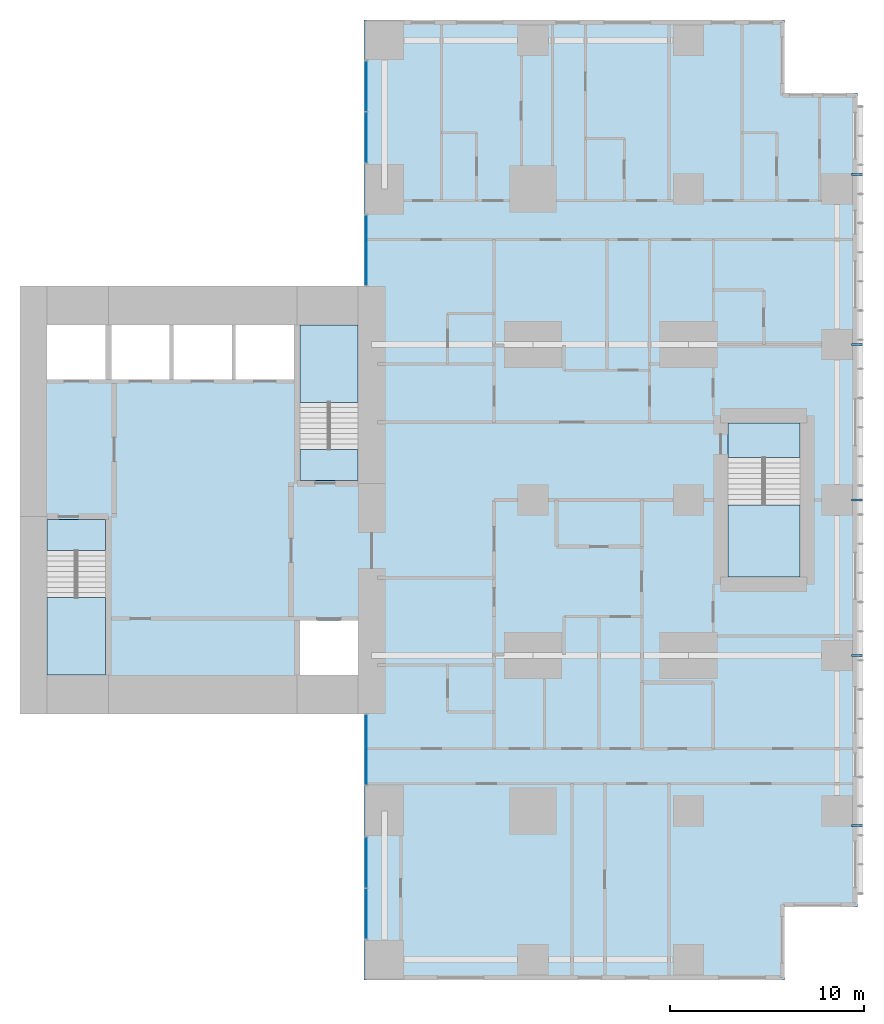
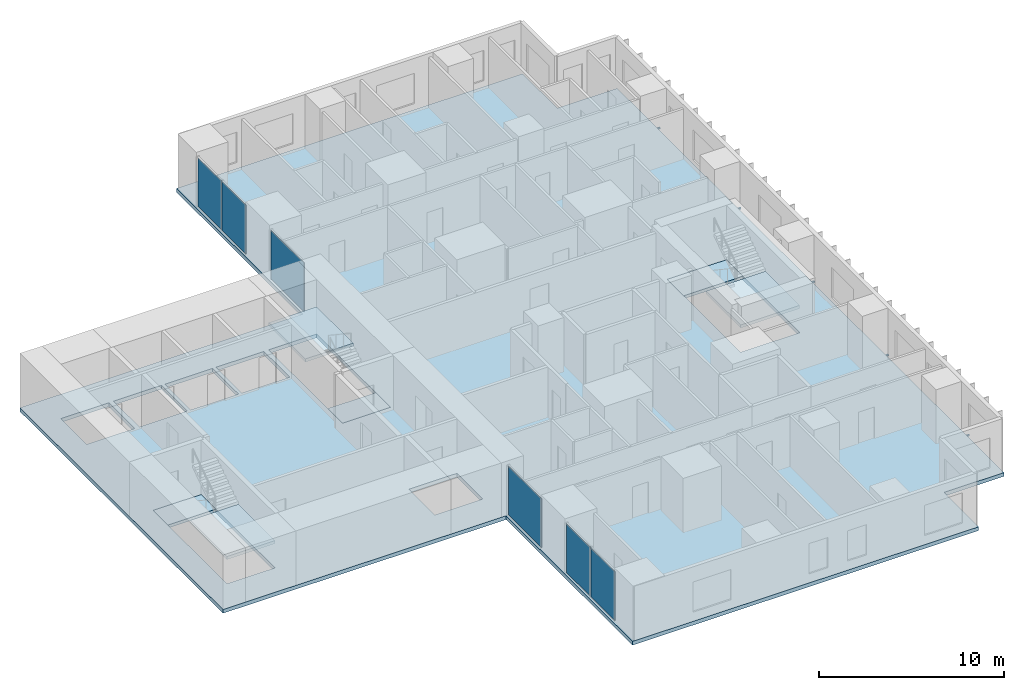
# One storey, part 4 of 12: 7 slabs, 6 plates, 5 members, 7 elements without a shape of their own.
"""IFC4 building model written with IfcOpenShell, lengths in metres."""

from ifc_helpers import new_model, si_unit, direction, frame, origin, origin_2d, place, context, subcontext, project, spatial, polyline, rectangle, hollow_rectangle, outline, extrude, material, layer, layer_set, material_profile, profile_set, type_object, element, aggregate, save


model = new_model("IFC4")

# Units and contexts
model_context = context("Model", 3, precision=1e-05, world=origin(), true_north=direction((0.0, 1.0)))
body_context = subcontext(model_context, "Body", "Model", "MODEL_VIEW")
ifc_project = project(units=[si_unit("LENGTHUNIT", "METRE"), si_unit("AREAUNIT", "SQUARE_METRE"), si_unit("VOLUMEUNIT", "CUBIC_METRE"), si_unit("PLANEANGLEUNIT", "RADIAN"), si_unit("MASSUNIT", "GRAM", prefix="KILO")], contexts=[model_context])

# Site, building, storey
site_placement = place(None, origin())
site = spatial("IfcSite", under=ifc_project, at=site_placement, CompositionType="ELEMENT")
building_placement = place(site_placement, origin())
building = spatial("IfcBuilding", under=site, at=building_placement, Name="Cleftline Residences", CompositionType="ELEMENT")
storey_placement = place(building_placement, frame((0.0, 0.0, 255.60009765625)))
storey = spatial("IfcBuildingStorey", under=building, at=storey_placement, Name="L67", CompositionType="ELEMENT", Elevation=255.60009765625)

# Members
ifc_material_1 = material(Name="Steel S355, hot-dip galvanised", Category="steel")
ifc_material_profile = material_profile(ifc_material_1, hollow_rectangle(XDim=0.10009765625, YDim=0.10009765625, WallThickness=0.008056640625, InnerFilletRadius=0.008056640625, OuterFilletRadius=0.011962890625, at=origin_2d()))
ifc_profile_set = profile_set([ifc_material_profile], Name="Steel S355, hot-dip galvanised")
member_type = type_object("IfcMemberType", Name="BAGUETTE BRACKET SHS 100X100X8", PredefinedType="USERDEFINED", material=ifc_profile_set)
for number, where, z_axis, x_axis, name in (
    (1, (66.39990234375, 7.25, -0.150146484375), (1.0, 0.0, 0.0), (0.0, 1.0, 0.0), "Baguette bracket"),
    (2, (66.39990234375, 16.0, -0.150146484375), (1.0, 0.0, 0.0), (0.0, 1.0, 0.0), "Baguette bracket"),
    (3, (66.39990234375, 24.0, -0.150146484375), (1.0, 0.0, 0.0), (0.0, 1.0, 0.0), "Baguette bracket"),
    (4, (66.39990234375, 32.0, -0.150146484375), (1.0, 0.0, 0.0), (0.0, 1.0, 0.0), "Baguette bracket"),
    (5, (66.39990234375, 40.75, -0.150146484375), (1.0, 0.0, 0.0), (0.0, 1.0, 0.0), "Baguette bracket"),
):
    element("IfcMember", number, at=place(storey_placement, frame(where, z_axis=z_axis, x_axis=x_axis)), inside=storey, type_object=member_type, Name=name, ObjectType="BAGUETTE BRACKET", PredefinedType="USERDEFINED", context=body_context, shape_type="SweptSolid", body=[
        extrude(hollow_rectangle(XDim=0.10009765625, YDim=0.10009765625, WallThickness=0.008056640625, InnerFilletRadius=0.008056640625, OuterFilletRadius=0.011962890625, at=origin_2d()), origin(), (0.0, 0.0, 1.0), 0.550048828125),
    ])

# Curtain wall, plate
ifc_material_2 = material(Name="Aluminium framed curtain wall", Category="aluminium")
ifc_layer_1 = layer(ifc_material_2, 0.199951171875)
ifc_layer_set_1 = layer_set([ifc_layer_1], Name="CW1 CLEFT GLAZING")
curtain_wall_type = type_object("IfcCurtainWallType", Name="CW1 CLEFT GLAZING", PredefinedType="NOTDEFINED", material=ifc_layer_set_1)
curtain_wall_1_placement = place(storey_placement, origin())
curtain_wall_1 = element("IfcCurtainWall", 6, at=curtain_wall_1_placement, inside=storey, type_object=curtain_wall_type, Name="Curtain wall CW1", PredefinedType="NOTDEFINED")
ifc_material_3 = material(Name="Laminated clear glass", Category="glass")
ifc_layer_2 = layer(ifc_material_3, 0.028076171875)
ifc_layer_set_2 = layer_set([ifc_layer_2], Name="CW1 GLASS PANEL")
plate_type = type_object("IfcPlateType", Name="CW1 GLASS PANEL", PredefinedType="CURTAIN_PANEL", material=ifc_layer_set_2)
plate_1_placement = place(storey_placement, frame((41.425048828125, 11.14990234375, 0.059814453125), z_axis=(0.0, 0.0, 1.0), x_axis=(0.0, -1.0, 0.0)))
plate_1 = element("IfcPlate", 7, at=plate_1_placement, type_object=plate_type, Name="CW1 panel 1.1", PredefinedType="CURTAIN_PANEL", context=body_context, shape_type="SweptSolid", body=[
    extrude(rectangle(XDim=3.580078125, YDim=0.028076171875, at=origin_2d()), origin(), (0.0, 0.0, 1.0), 3.22998046875),
])
aggregate(curtain_wall_1, [plate_1])

# Curtain wall, plates
curtain_wall_2_placement = place(storey_placement, origin())
curtain_wall_2 = element("IfcCurtainWall", 8, at=curtain_wall_2_placement, inside=storey, type_object=curtain_wall_type, Name="Curtain wall CW1", PredefinedType="NOTDEFINED")
plate_2_placement = place(storey_placement, frame((41.425048828125, 5.347412109375, 0.059814453125), z_axis=(0.0, 0.0, 1.0), x_axis=(0.0, -1.0, 0.0)))
plate_2 = element("IfcPlate", 9, at=plate_2_placement, type_object=plate_type, Name="CW1 panel 1.1", PredefinedType="CURTAIN_PANEL", context=body_context, shape_type="SweptSolid", body=[
    extrude(rectangle(XDim=2.5849609375, YDim=0.028076171875, at=origin_2d()), origin(), (0.0, 0.0, 1.0), 3.22998046875),
])
plate_3_placement = place(storey_placement, frame((41.425048828125, 2.702392578125, 0.059814453125), z_axis=(0.0, 0.0, 1.0), x_axis=(0.0, -1.0, 0.0)))
plate_3 = element("IfcPlate", 10, at=plate_3_placement, type_object=plate_type, Name="CW1 panel 2.1", PredefinedType="CURTAIN_PANEL", context=body_context, shape_type="SweptSolid", body=[
    extrude(rectangle(XDim=2.5849609375, YDim=0.028076171875, at=origin_2d()), origin(), (0.0, 0.0, 1.0), 3.22998046875),
])
aggregate(curtain_wall_2, [plate_2, plate_3])

curtain_wall_3_placement = place(storey_placement, origin())
curtain_wall_3 = element("IfcCurtainWall", 11, at=curtain_wall_3_placement, inside=storey, type_object=curtain_wall_type, Name="Curtain wall CW1", PredefinedType="NOTDEFINED")
plate_4_placement = place(storey_placement, frame((41.425048828125, 45.297607421875, 0.059814453125), z_axis=(0.0, 0.0, 1.0), x_axis=(0.0, -1.0, 0.0)))
plate_4 = element("IfcPlate", 12, at=plate_4_placement, type_object=plate_type, Name="CW1 panel 1.1", PredefinedType="CURTAIN_PANEL", context=body_context, shape_type="SweptSolid", body=[
    extrude(rectangle(XDim=2.5849609375, YDim=0.028076171875, at=origin_2d()), origin(), (0.0, 0.0, 1.0), 3.22998046875),
])
plate_5_placement = place(storey_placement, frame((41.425048828125, 42.652587890625, 0.059814453125), z_axis=(0.0, 0.0, 1.0), x_axis=(0.0, -1.0, 0.0)))
plate_5 = element("IfcPlate", 13, at=plate_5_placement, type_object=plate_type, Name="CW1 panel 2.1", PredefinedType="CURTAIN_PANEL", context=body_context, shape_type="SweptSolid", body=[
    extrude(rectangle(XDim=2.5849609375, YDim=0.028076171875, at=origin_2d()), origin(), (0.0, 0.0, 1.0), 3.22998046875),
])
aggregate(curtain_wall_3, [plate_4, plate_5])

# Curtain wall, plate
curtain_wall_4_placement = place(storey_placement, origin())
curtain_wall_4 = element("IfcCurtainWall", 14, at=curtain_wall_4_placement, inside=storey, type_object=curtain_wall_type, Name="Curtain wall CW1", PredefinedType="NOTDEFINED")
plate_6_placement = place(storey_placement, frame((41.425048828125, 36.85009765625, 0.059814453125), z_axis=(0.0, 0.0, 1.0), x_axis=(0.0, -1.0, 0.0)))
plate_6 = element("IfcPlate", 15, at=plate_6_placement, type_object=plate_type, Name="CW1 panel 1.1", PredefinedType="CURTAIN_PANEL", context=body_context, shape_type="SweptSolid", body=[
    extrude(rectangle(XDim=3.580078125, YDim=0.028076171875, at=origin_2d()), origin(), (0.0, 0.0, 1.0), 3.22998046875),
])
aggregate(curtain_wall_4, [plate_6])

# Slab
ifc_material_4 = material(Name="Concrete B45", Category="concrete")
ifc_layer_3 = layer(ifc_material_4, 0.25)
ifc_layer_set_3 = layer_set([ifc_layer_3], Name="FLOOR SLAB 250")
slab_type_1 = type_object("IfcSlabType", Name="FLOOR SLAB 250", PredefinedType="FLOOR", material=ifc_layer_set_3)
slab_1_placement = place(storey_placement, frame((0.0, 0.0, -0.25)))
element("IfcSlab", 16, at=slab_1_placement, inside=storey, type_object=slab_type_1, Name="Floor slab L67", PredefinedType="FLOOR", context=body_context, shape_type="SweptSolid", body=[
    extrude(outline(polyline([(41.300048828125, 13.0), (41.300048828125, -0.699951171875), (62.949951171875, -0.699951171875), (62.949951171875, 3.050048828125), (66.699951171875, 3.050048828125), (66.699951171875, 44.949951171875), (62.949951171875, 44.949951171875), (62.949951171875, 48.699951171875), (41.300048828125, 48.699951171875), (41.300048828125, 35.0), (23.60009765625, 35.0), (23.60009765625, 13.0), (41.300048828125, 13.0)]), holes=[polyline([(28.0, 15.0), (28.0, 23.0), (25.0, 23.0), (25.0, 15.0), (28.0, 15.0)]), polyline([(41.0, 25.0), (41.0, 33.0), (38.0, 33.0), (38.0, 25.0), (41.0, 25.0)]), polyline([(28.0, 30.199951171875), (28.0, 33.0), (25.0, 33.0), (25.0, 30.199951171875), (28.0, 30.199951171875)]), polyline([(41.0, 15.0), (41.0, 17.800048828125), (38.0, 17.800048828125), (38.0, 15.0), (41.0, 15.0)]), polyline([(31.300048828125, 30.199951171875), (31.300048828125, 33.0), (28.300048828125, 33.0), (28.300048828125, 30.199951171875), (31.300048828125, 30.199951171875)]), polyline([(34.5, 30.199951171875), (34.5, 33.0), (31.5, 33.0), (31.5, 30.199951171875), (34.5, 30.199951171875)]), polyline([(37.699951171875, 30.199951171875), (37.699951171875, 33.0), (34.699951171875, 33.0), (34.699951171875, 30.199951171875), (37.699951171875, 30.199951171875)]), polyline([(63.72509765625, 20.02490234375), (63.72509765625, 27.97509765625), (60.02490234375, 27.97509765625), (60.02490234375, 20.02490234375), (63.72509765625, 20.02490234375)])]), origin(), (0.0, 0.0, 1.0), 0.25),
])

# Stair, slabs
ifc_material_5 = material(Name="Concrete B45, stone treads", Category="masonry")
stair_type_1 = type_object("IfcStairType", Name="STAIR A 1450 WIDE 180 RISER", PredefinedType="HALF_TURN_STAIR", material=ifc_material_5)
stair_1_placement = place(storey_placement, origin())
stair_1 = element("IfcStair", 17, at=stair_1_placement, inside=storey, type_object=stair_type_1, Name="Stair A L67", PredefinedType="HALF_TURN_STAIR")
ifc_material_6 = material(Name="Concrete B45", Category="concrete")
ifc_layer_4 = layer(ifc_material_6, 0.199951171875)
ifc_layer_set_4 = layer_set([ifc_layer_4], Name="STAIR LANDING 200")
slab_type_2 = type_object("IfcSlabType", Name="STAIR LANDING 200", PredefinedType="LANDING", material=ifc_layer_set_4)
slab_2_placement = place(storey_placement, frame((0.0, 0.0, -0.2001953125)))
slab_2 = element("IfcSlab", 18, at=slab_2_placement, type_object=slab_type_2, Name="ST-A landing 1", PredefinedType="LANDING", context=body_context, shape_type="SweptSolid", body=[
    extrude(outline(polyline([(25.0, 21.39990234375), (28.0, 21.39990234375), (28.0, 23.0), (25.0, 23.0), (25.0, 21.39990234375)])), origin(), (0.0, 0.0, 1.0), 0.2001953125),
])
slab_3_placement = place(storey_placement, frame((0.0, 0.0, 1.599853515625)))
slab_3 = element("IfcSlab", 19, at=slab_3_placement, type_object=slab_type_2, Name="ST-A landing 2", PredefinedType="LANDING", context=body_context, shape_type="SweptSolid", body=[
    extrude(outline(polyline([(25.0, 15.0), (28.0, 15.0), (28.0, 18.969970703125), (25.0, 18.969970703125), (25.0, 15.0)])), origin(), (0.0, 0.0, 1.0), 0.199951171875),
])
aggregate(stair_1, [slab_2, slab_3])

ifc_material_7 = material(Name="Concrete B45, stone treads", Category="masonry")
stair_type_2 = type_object("IfcStairType", Name="STAIR B 1450 WIDE 180 RISER", PredefinedType="HALF_TURN_STAIR", material=ifc_material_7)
stair_2_placement = place(storey_placement, origin())
stair_2 = element("IfcStair", 20, at=stair_2_placement, inside=storey, type_object=stair_type_2, Name="Stair B L67", PredefinedType="HALF_TURN_STAIR")
slab_4_placement = place(storey_placement, frame((0.0, 0.0, -0.2001953125)))
slab_4 = element("IfcSlab", 21, at=slab_4_placement, type_object=slab_type_2, Name="ST-B landing 1", PredefinedType="LANDING", context=body_context, shape_type="SweptSolid", body=[
    extrude(outline(polyline([(38.0, 25.0), (41.0, 25.0), (41.0, 26.60009765625), (38.0, 26.60009765625), (38.0, 25.0)])), origin(), (0.0, 0.0, 1.0), 0.2001953125),
])
slab_5_placement = place(storey_placement, frame((0.0, 0.0, 1.599853515625)))
slab_5 = element("IfcSlab", 22, at=slab_5_placement, type_object=slab_type_2, Name="ST-B landing 2", PredefinedType="LANDING", context=body_context, shape_type="SweptSolid", body=[
    extrude(outline(polyline([(38.0, 29.030029296875), (41.0, 29.030029296875), (41.0, 33.0), (38.0, 33.0), (38.0, 29.030029296875)])), origin(), (0.0, 0.0, 1.0), 0.199951171875),
])
aggregate(stair_2, [slab_4, slab_5])

ifc_material_8 = material(Name="Concrete B45, stone treads", Category="masonry")
stair_type_3 = type_object("IfcStairType", Name="STAIR E 1800 WIDE 180 RISER", PredefinedType="HALF_TURN_STAIR", material=ifc_material_8)
stair_3_placement = place(storey_placement, origin())
stair_3 = element("IfcStair", 23, at=stair_3_placement, inside=storey, type_object=stair_type_3, Name="Stair E L67", PredefinedType="HALF_TURN_STAIR")
slab_6_placement = place(storey_placement, frame((0.0, 0.0, -0.2001953125)))
slab_6 = element("IfcSlab", 24, at=slab_6_placement, type_object=slab_type_2, Name="ST-E landing 1", PredefinedType="LANDING", context=body_context, shape_type="SweptSolid", body=[
    extrude(outline(polyline([(60.02490234375, 26.175048828125), (63.72509765625, 26.175048828125), (63.72509765625, 27.97509765625), (60.02490234375, 27.97509765625), (60.02490234375, 26.175048828125)])), origin(), (0.0, 0.0, 1.0), 0.2001953125),
])
slab_7_placement = place(storey_placement, frame((0.0, 0.0, 1.599853515625)))
slab_7 = element("IfcSlab", 25, at=slab_7_placement, type_object=slab_type_2, Name="ST-E landing 2", PredefinedType="LANDING", context=body_context, shape_type="SweptSolid", body=[
    extrude(outline(polyline([(60.02490234375, 20.02490234375), (63.72509765625, 20.02490234375), (63.72509765625, 23.7451171875), (60.02490234375, 23.7451171875), (60.02490234375, 20.02490234375)])), origin(), (0.0, 0.0, 1.0), 0.199951171875),
])
aggregate(stair_3, [slab_6, slab_7])

save(model, "model.ifc")
